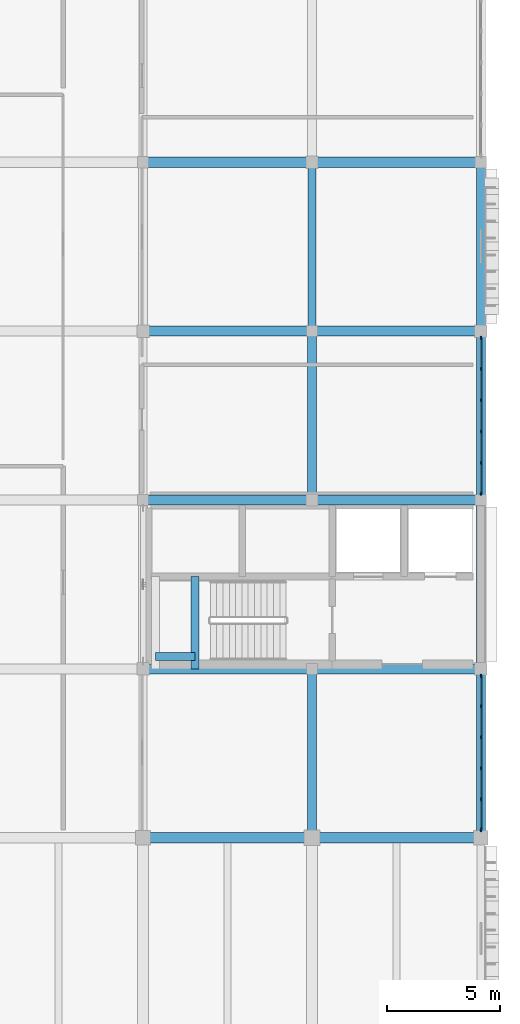
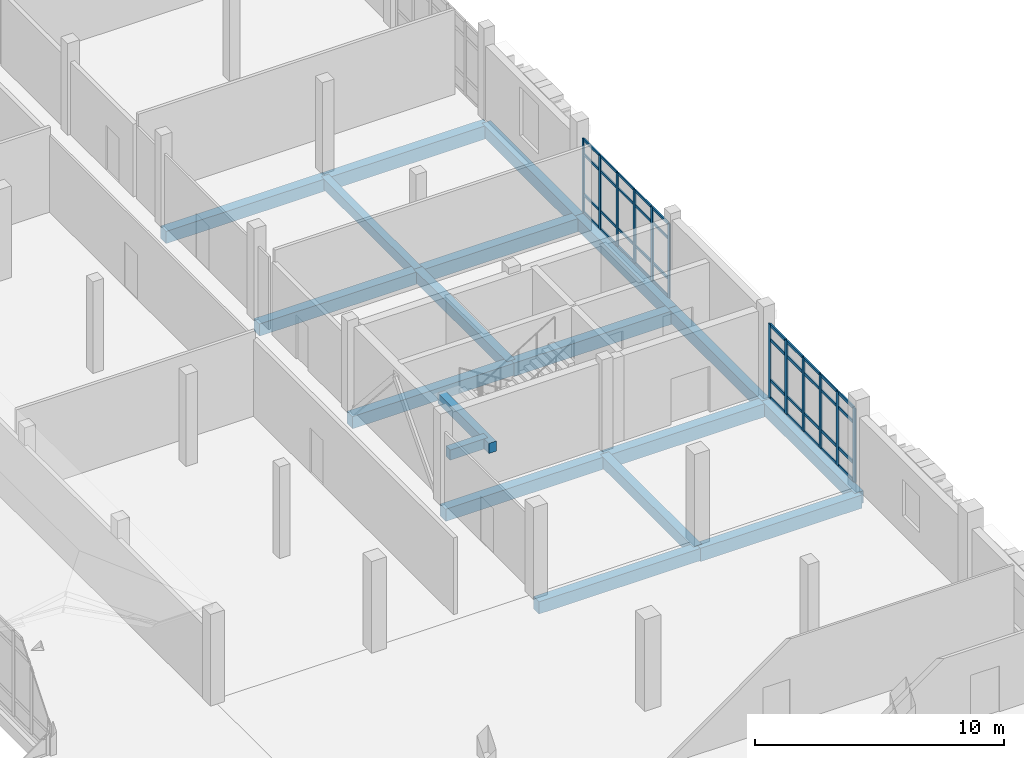
# One storey, part 63 of 128: 52 members, 19 beams, 2 elements without a shape of their own.
"""IFC4 building model written with IfcOpenShell, lengths in metres."""

from ifc_helpers import new_model, si_unit, direction, frame, origin, origin_2d, place, context, subcontext, project, spatial, rectangle, extrude, material, layer, layer_set, material_profile, profile_set, type_object, element, aggregate, save


model = new_model("IFC4")

# Units and contexts
model_context = context("Model", 3, precision=1e-05, world=origin(), true_north=direction((0.0, 1.0)))
body_context = subcontext(model_context, "Body", "Model", "MODEL_VIEW")
ifc_project = project(units=[si_unit("LENGTHUNIT", "METRE"), si_unit("AREAUNIT", "SQUARE_METRE"), si_unit("VOLUMEUNIT", "CUBIC_METRE"), si_unit("PLANEANGLEUNIT", "RADIAN"), si_unit("MASSUNIT", "GRAM", prefix="KILO")], contexts=[model_context])

# Site, building, storey
site_placement = place(None, origin())
site = spatial("IfcSite", under=ifc_project, at=site_placement, CompositionType="ELEMENT")
building_placement = place(site_placement, origin())
building = spatial("IfcBuilding", under=site, at=building_placement, Name="Dalvernix Boulevard General Hospital", CompositionType="ELEMENT")
storey_placement = place(building_placement, frame((0.0, 0.0, 4.800048828125)))
storey = spatial("IfcBuildingStorey", under=building, at=storey_placement, Name="L01", CompositionType="ELEMENT", Elevation=4.800048828125)

# Beams
ifc_material_1 = material(Name="Concrete C35/45", Category="concrete")
ifc_material_profile_1 = material_profile(ifc_material_1, rectangle(XDim=0.449951171875, YDim=0.64990234375, at=origin_2d()), Name="RCB 450x650")
ifc_profile_set_1 = profile_set([ifc_material_profile_1], Name="Concrete C35/45")
beam_type_1 = type_object("IfcBeamType", Name="BM-B-03-I", PredefinedType="BEAM", material=ifc_profile_set_1)
for number, where, z_axis, x_axis, name in (
    (1, (165.0, 31.5, -0.625), (1.0, 0.0, 0.0), (0.0, 1.0, 0.0), "L01 E-W girder E:23-24"),
    (2, (165.0, 39.0, -0.625), (1.0, 0.0, 0.0), (0.0, 1.0, 0.0), "L01 E-W girder F:23-24"),
    (3, (165.0, 46.5, -0.625), (1.0, 0.0, 0.0), (0.0, 1.0, 0.0), "L01 E-W girder G:23-24"),
    (4, (165.0, 54.0, -0.625), (1.0, 0.0, 0.0), (0.0, 1.0, 0.0), "L01 E-W girder H:23-24"),
    (5, (165.0, 61.5, -0.625), (1.0, 0.0, 0.0), (0.0, 1.0, 0.0), "L01 E-W girder J:23-24"),
):
    element("IfcBeam", number, at=place(storey_placement, frame(where, z_axis=z_axis, x_axis=x_axis)), inside=storey, type_object=beam_type_1, Name=name, PredefinedType="BEAM", context=body_context, shape_type="SweptSolid", body=[
        extrude(rectangle(XDim=0.449951171875, YDim=0.64990234375, at=origin_2d()), origin(), (0.0, 0.0, 1.0), 7.5),
    ])
ifc_material_profile_2 = material_profile(ifc_material_1, rectangle(XDim=0.449951171875, YDim=0.60009765625, at=origin_2d()), Name="RCB 450x600")
ifc_profile_set_2 = profile_set([ifc_material_profile_2], Name="Concrete C35/45")
beam_type_2 = type_object("IfcBeamType", Name="BM-B-04-I", PredefinedType="BEAM", material=ifc_profile_set_2)
for number, where, z_axis, x_axis, name in (
    (6, (157.5, 31.5, -0.60009765625), (1.0, 0.0, 0.0), (0.0, 1.0, 0.0), "L01 E-W girder E:22-23"),
    (7, (157.5, 39.0, -0.60009765625), (1.0, 0.0, 0.0), (0.0, 1.0, 0.0), "L01 E-W girder F:22-23"),
    (8, (157.5, 46.5, -0.60009765625), (1.0, 0.0, 0.0), (0.0, 1.0, 0.0), "L01 E-W girder G:22-23"),
    (9, (157.5, 54.0, -0.60009765625), (1.0, 0.0, 0.0), (0.0, 1.0, 0.0), "L01 E-W girder H:22-23"),
    (10, (157.5, 61.5, -0.60009765625), (1.0, 0.0, 0.0), (0.0, 1.0, 0.0), "L01 E-W girder J:22-23"),
):
    element("IfcBeam", number, at=place(storey_placement, frame(where, z_axis=z_axis, x_axis=x_axis)), inside=storey, type_object=beam_type_2, Name=name, PredefinedType="BEAM", context=body_context, shape_type="SweptSolid", body=[
        extrude(rectangle(XDim=0.449951171875, YDim=0.60009765625, at=origin_2d()), origin(), (0.0, 0.0, 1.0), 7.5),
    ])
ifc_material_profile_3 = material_profile(ifc_material_1, rectangle(XDim=0.39990234375, YDim=0.550048828125, at=origin_2d()), Name="RCB 400x550")
ifc_profile_set_3 = profile_set([ifc_material_profile_3], Name="Concrete C35/45")
beam_type_3 = type_object("IfcBeamType", Name="BM-B-06-I", PredefinedType="BEAM", material=ifc_profile_set_3)
for number, where, z_axis, x_axis, name in (
    (11, (165.0, 31.5, -0.574951171875), (0.0, 1.0, 0.0), (-1.0, 0.0, 0.0), "L01 N-S girder 23:E-F"),
    (12, (165.0, 46.5, -0.574951171875), (0.0, 1.0, 0.0), (-1.0, 0.0, 0.0), "L01 N-S girder 23:G-H"),
):
    element("IfcBeam", number, at=place(storey_placement, frame(where, z_axis=z_axis, x_axis=x_axis)), inside=storey, type_object=beam_type_3, Name=name, PredefinedType="BEAM", context=body_context, shape_type="SweptSolid", body=[
        extrude(rectangle(XDim=0.39990234375, YDim=0.550048828125, at=origin_2d()), origin(), (0.0, 0.0, 1.0), 7.5),
    ])
ifc_material_profile_4 = material_profile(ifc_material_1, rectangle(XDim=0.35009765625, YDim=0.5, at=origin_2d()), Name="RCB 350x500")
ifc_profile_set_4 = profile_set([ifc_material_profile_4], Name="Concrete C35/45")
beam_type_4 = type_object("IfcBeamType", Name="BM-B-08", PredefinedType="BEAM", material=ifc_profile_set_4)
beam_1_placement = place(storey_placement, frame((159.800048828125, 39.0, 1.800048828125), z_axis=(0.0, 1.0, 0.0), x_axis=(-1.0, 0.0, 0.0)))
element("IfcBeam", 13, at=beam_1_placement, inside=storey, type_object=beam_type_4, Name="L01 C6 stair half-landing beam 2", PredefinedType="BEAM", context=body_context, shape_type="SweptSolid", body=[
    extrude(rectangle(XDim=0.35009765625, YDim=0.5, at=origin_2d()), origin(), (0.0, 0.0, 1.0), 4.10009765625),
])
beam_2_placement = place(storey_placement, frame((158.050048828125, 39.550048828125, 1.800048828125), z_axis=(1.0, 0.0, 0.0), x_axis=(0.0, 1.0, 0.0)))
element("IfcBeam", 14, at=beam_2_placement, inside=storey, type_object=beam_type_4, Name="L01 C6 stair half-landing tie beam", PredefinedType="BEAM", context=body_context, shape_type="SweptSolid", body=[
    extrude(rectangle(XDim=0.35009765625, YDim=0.5, at=origin_2d()), origin(), (0.0, 0.0, 1.0), 1.75),
])
ifc_material_profile_5 = material_profile(ifc_material_1, rectangle(XDim=0.35009765625, YDim=0.5, at=origin_2d()), Name="RCB 350x500")
ifc_profile_set_5 = profile_set([ifc_material_profile_5], Name="Concrete C35/45")
beam_type_5 = type_object("IfcBeamType", Name="BM-B-08-I", PredefinedType="BEAM", material=ifc_profile_set_5)
beam_3_placement = place(storey_placement, frame((165.0, 54.0, -0.550048828125), z_axis=(0.0, 1.0, 0.0), x_axis=(-1.0, 0.0, 0.0)))
element("IfcBeam", 15, at=beam_3_placement, inside=storey, type_object=beam_type_5, Name="L01 N-S girder 23:H-J", PredefinedType="BEAM", context=body_context, shape_type="SweptSolid", body=[
    extrude(rectangle(XDim=0.35009765625, YDim=0.5, at=origin_2d()), origin(), (0.0, 0.0, 1.0), 7.5),
])
ifc_material_profile_6 = material_profile(ifc_material_1, rectangle(XDim=0.39990234375, YDim=0.60009765625, at=origin_2d()), Name="RCB 400x600")
ifc_profile_set_6 = profile_set([ifc_material_profile_6], Name="Concrete C35/45")
beam_type_6 = type_object("IfcBeamType", Name="BM-SB-02-E", PredefinedType="SPANDREL", material=ifc_profile_set_6)
for number, where, z_axis, x_axis, name in (
    (16, (172.5, 31.5, -0.60009765625), (0.0, 1.0, 0.0), (-1.0, 0.0, 0.0), "L01 N-S girder 24:E-F"),
    (17, (172.5, 39.0, -0.60009765625), (0.0, 1.0, 0.0), (-1.0, 0.0, 0.0), "L01 N-S girder 24:F-G"),
    (18, (172.5, 46.5, -0.60009765625), (0.0, 1.0, 0.0), (-1.0, 0.0, 0.0), "L01 N-S girder 24:G-H"),
    (19, (172.5, 54.0, -0.60009765625), (0.0, 1.0, 0.0), (-1.0, 0.0, 0.0), "L01 N-S girder 24:H-J"),
):
    element("IfcBeam", number, at=place(storey_placement, frame(where, z_axis=z_axis, x_axis=x_axis)), inside=storey, type_object=beam_type_6, Name=name, PredefinedType="SPANDREL", context=body_context, shape_type="SweptSolid", body=[
        extrude(rectangle(XDim=0.39990234375, YDim=0.60009765625, at=origin_2d()), origin(), (0.0, 0.0, 1.0), 7.5),
    ])

# Curtain wall, members
ifc_material_2 = material(Name="Thermally broken aluminium and solar-control glass curtain wall", Category="aluminium")
ifc_layer_1 = layer(ifc_material_2, 0.159912109375)
ifc_layer_set_1 = layer_set([ifc_layer_1], Name="Thermally broken aluminium and solar-control glass curtain wall (CW-CW-A-70x36)")
curtain_wall_type_1 = type_object("IfcCurtainWallType", Name="CW-CW-A-70x36", PredefinedType="USERDEFINED", material=ifc_layer_set_1)
curtain_wall_1_placement = place(storey_placement, origin())
curtain_wall_1 = element("IfcCurtainWall", 20, at=curtain_wall_1_placement, inside=storey, type_object=curtain_wall_type_1, Name="L01 curtain wall CW-A-70x36 23-6", ObjectType="GLAZED FACADE", PredefinedType="USERDEFINED")
ifc_material_3 = material(Name="Aluminium EN AW-6060", Category="aluminium")
ifc_material_profile_7 = material_profile(ifc_material_3, rectangle(XDim=0.06005859375, YDim=0.159912109375, at=origin_2d()), Name="ALU MULL 60x160")
ifc_profile_set_7 = profile_set([ifc_material_profile_7], Name="Aluminium EN AW-6060")
member_type_1 = type_object("IfcMemberType", Name="MEM-CW-M1", PredefinedType="MULLION", material=ifc_profile_set_7)
member_1_placement = place(storey_placement, frame((172.5, 53.68505859375, 0.0), z_axis=(0.0, 0.0, 1.0), x_axis=(1.0, 0.0, 0.0)))
member_1 = element("IfcMember", 21, at=member_1_placement, type_object=member_type_1, Name="CW-A-70x36 mullion 1", PredefinedType="MULLION", context=body_context, shape_type="SweptSolid", body=[
    extrude(rectangle(XDim=0.06005859375, YDim=0.159912109375, at=origin_2d()), origin(), (0.0, 0.0, 1.0), 3.6298828125),
])
member_2_placement = place(storey_placement, frame((172.5, 52.323974609375, 0.0), z_axis=(0.0, 0.0, 1.0), x_axis=(1.0, 0.0, 0.0)))
member_2 = element("IfcMember", 22, at=member_2_placement, type_object=member_type_1, Name="CW-A-70x36 mullion 2", PredefinedType="MULLION", context=body_context, shape_type="SweptSolid", body=[
    extrude(rectangle(XDim=0.06005859375, YDim=0.159912109375, at=origin_2d()), origin(), (0.0, 0.0, 1.0), 3.6298828125),
])
member_3_placement = place(storey_placement, frame((172.5, 50.93310546875, 0.0), z_axis=(0.0, 0.0, 1.0), x_axis=(1.0, 0.0, 0.0)))
member_3 = element("IfcMember", 23, at=member_3_placement, type_object=member_type_1, Name="CW-A-70x36 mullion 3", PredefinedType="MULLION", context=body_context, shape_type="SweptSolid", body=[
    extrude(rectangle(XDim=0.06005859375, YDim=0.159912109375, at=origin_2d()), origin(), (0.0, 0.0, 1.0), 3.6298828125),
])
member_4_placement = place(storey_placement, frame((172.5, 49.5419921875, 0.0), z_axis=(0.0, 0.0, 1.0), x_axis=(1.0, 0.0, 0.0)))
member_4 = element("IfcMember", 24, at=member_4_placement, type_object=member_type_1, Name="CW-A-70x36 mullion 4", PredefinedType="MULLION", context=body_context, shape_type="SweptSolid", body=[
    extrude(rectangle(XDim=0.06005859375, YDim=0.159912109375, at=origin_2d()), origin(), (0.0, 0.0, 1.0), 3.6298828125),
])
member_5_placement = place(storey_placement, frame((172.5, 48.15087890625, 0.0), z_axis=(0.0, 0.0, 1.0), x_axis=(1.0, 0.0, 0.0)))
member_5 = element("IfcMember", 25, at=member_5_placement, type_object=member_type_1, Name="CW-A-70x36 mullion 5", PredefinedType="MULLION", context=body_context, shape_type="SweptSolid", body=[
    extrude(rectangle(XDim=0.06005859375, YDim=0.159912109375, at=origin_2d()), origin(), (0.0, 0.0, 1.0), 3.6298828125),
])
member_6_placement = place(storey_placement, frame((172.5, 46.7900390625, 0.0), z_axis=(0.0, 0.0, 1.0), x_axis=(1.0, 0.0, 0.0)))
member_6 = element("IfcMember", 26, at=member_6_placement, type_object=member_type_1, Name="CW-A-70x36 mullion 6", PredefinedType="MULLION", context=body_context, shape_type="SweptSolid", body=[
    extrude(rectangle(XDim=0.06005859375, YDim=0.159912109375, at=origin_2d()), origin(), (0.0, 0.0, 1.0), 3.6298828125),
])

ifc_layer_2 = layer(ifc_material_2, 0.179931640625)
ifc_layer_set_2 = layer_set([ifc_layer_2], Name="Thermally broken aluminium and solar-control glass curtain wall (CW-CW-B-69x36)")
curtain_wall_type_2 = type_object("IfcCurtainWallType", Name="CW-CW-B-69x36", PredefinedType="USERDEFINED", material=ifc_layer_set_2)
curtain_wall_2_placement = place(storey_placement, origin())
curtain_wall_2 = element("IfcCurtainWall", 27, at=curtain_wall_2_placement, inside=storey, type_object=curtain_wall_type_2, Name="L01 curtain wall CW-B-69x36 23-4", ObjectType="GLAZED FACADE", PredefinedType="USERDEFINED")
ifc_material_profile_8 = material_profile(ifc_material_3, rectangle(XDim=0.06494140625, YDim=0.179931640625, at=origin_2d()), Name="ALU MULL 65x180")
ifc_profile_set_8 = profile_set([ifc_material_profile_8], Name="Aluminium EN AW-6060")
member_type_2 = type_object("IfcMemberType", Name="MEM-CW-M2", PredefinedType="MULLION", material=ifc_profile_set_8)
member_7_placement = place(storey_placement, frame((172.5, 38.6826171875, 0.0), z_axis=(0.0, 0.0, 1.0), x_axis=(1.0, 0.0, 0.0)))
member_7 = element("IfcMember", 28, at=member_7_placement, type_object=member_type_2, Name="CW-B-69x36 mullion 1", PredefinedType="MULLION", context=body_context, shape_type="SweptSolid", body=[
    extrude(rectangle(XDim=0.06494140625, YDim=0.179931640625, at=origin_2d()), origin(), (0.0, 0.0, 1.0), 3.6298828125),
])
member_8_placement = place(storey_placement, frame((172.5, 37.339111328125, 0.0), z_axis=(0.0, 0.0, 1.0), x_axis=(1.0, 0.0, 0.0)))
member_8 = element("IfcMember", 29, at=member_8_placement, type_object=member_type_2, Name="CW-B-69x36 mullion 2", PredefinedType="MULLION", context=body_context, shape_type="SweptSolid", body=[
    extrude(rectangle(XDim=0.06494140625, YDim=0.179931640625, at=origin_2d()), origin(), (0.0, 0.0, 1.0), 3.6298828125),
])
member_9_placement = place(storey_placement, frame((172.5, 35.962890625, 0.0), z_axis=(0.0, 0.0, 1.0), x_axis=(1.0, 0.0, 0.0)))
member_9 = element("IfcMember", 30, at=member_9_placement, type_object=member_type_2, Name="CW-B-69x36 mullion 3", PredefinedType="MULLION", context=body_context, shape_type="SweptSolid", body=[
    extrude(rectangle(XDim=0.06494140625, YDim=0.179931640625, at=origin_2d()), origin(), (0.0, 0.0, 1.0), 3.6298828125),
])
member_10_placement = place(storey_placement, frame((172.5, 34.5869140625, 0.0), z_axis=(0.0, 0.0, 1.0), x_axis=(1.0, 0.0, 0.0)))
member_10 = element("IfcMember", 31, at=member_10_placement, type_object=member_type_2, Name="CW-B-69x36 mullion 4", PredefinedType="MULLION", context=body_context, shape_type="SweptSolid", body=[
    extrude(rectangle(XDim=0.06494140625, YDim=0.179931640625, at=origin_2d()), origin(), (0.0, 0.0, 1.0), 3.6298828125),
])
member_11_placement = place(storey_placement, frame((172.5, 33.2109375, 0.0), z_axis=(0.0, 0.0, 1.0), x_axis=(1.0, 0.0, 0.0)))
member_11 = element("IfcMember", 32, at=member_11_placement, type_object=member_type_2, Name="CW-B-69x36 mullion 5", PredefinedType="MULLION", context=body_context, shape_type="SweptSolid", body=[
    extrude(rectangle(XDim=0.06494140625, YDim=0.179931640625, at=origin_2d()), origin(), (0.0, 0.0, 1.0), 3.6298828125),
])
member_12_placement = place(storey_placement, frame((172.5, 31.867431640625, 0.0), z_axis=(0.0, 0.0, 1.0), x_axis=(1.0, 0.0, 0.0)))
member_12 = element("IfcMember", 33, at=member_12_placement, type_object=member_type_2, Name="CW-B-69x36 mullion 6", PredefinedType="MULLION", context=body_context, shape_type="SweptSolid", body=[
    extrude(rectangle(XDim=0.06494140625, YDim=0.179931640625, at=origin_2d()), origin(), (0.0, 0.0, 1.0), 3.6298828125),
])

# Member
ifc_material_profile_9 = material_profile(ifc_material_3, rectangle(XDim=0.06005859375, YDim=0.1201171875, at=origin_2d()), Name="ALU TRAN 60x120")
ifc_profile_set_9 = profile_set([ifc_material_profile_9], Name="Aluminium EN AW-6060")
member_type_3 = type_object("IfcMemberType", Name="MEM-CW-T1", PredefinedType="USERDEFINED", material=ifc_profile_set_9)
member_13_placement = place(storey_placement, frame((172.5, 53.655029296875, 0.030029296875), z_axis=(0.0, -1.0, 0.0), x_axis=(1.0, 0.0, 0.0)))
member_13 = element("IfcMember", 34, at=member_13_placement, type_object=member_type_3, Name="CW-A-70x36 transom 1.1", ObjectType="TRANSOM", PredefinedType="USERDEFINED", context=body_context, shape_type="SweptSolid", body=[
    extrude(rectangle(XDim=0.06005859375, YDim=0.1201171875, at=origin_2d()), origin(), (0.0, 0.0, 1.0), 1.301025390625),
])

member_14_placement = place(storey_placement, frame((172.5, 53.655029296875, 0.89990234375), z_axis=(0.0, -1.0, 0.0), x_axis=(1.0, 0.0, 0.0)))
member_14 = element("IfcMember", 35, at=member_14_placement, type_object=member_type_3, Name="CW-A-70x36 transom 1.2", ObjectType="TRANSOM", PredefinedType="USERDEFINED", context=body_context, shape_type="SweptSolid", body=[
    extrude(rectangle(XDim=0.06005859375, YDim=0.1201171875, at=origin_2d()), origin(), (0.0, 0.0, 1.0), 1.301025390625),
])

member_15_placement = place(storey_placement, frame((172.5, 53.655029296875, 2.8798828125), z_axis=(0.0, -1.0, 0.0), x_axis=(1.0, 0.0, 0.0)))
member_15 = element("IfcMember", 36, at=member_15_placement, type_object=member_type_3, Name="CW-A-70x36 transom 1.3", ObjectType="TRANSOM", PredefinedType="USERDEFINED", context=body_context, shape_type="SweptSolid", body=[
    extrude(rectangle(XDim=0.06005859375, YDim=0.1201171875, at=origin_2d()), origin(), (0.0, 0.0, 1.0), 1.301025390625),
])

member_16_placement = place(storey_placement, frame((172.5, 53.655029296875, 3.599853515625), z_axis=(0.0, -1.0, 0.0), x_axis=(1.0, 0.0, 0.0)))
member_16 = element("IfcMember", 37, at=member_16_placement, type_object=member_type_3, Name="CW-A-70x36 transom 1.4", ObjectType="TRANSOM", PredefinedType="USERDEFINED", context=body_context, shape_type="SweptSolid", body=[
    extrude(rectangle(XDim=0.06005859375, YDim=0.1201171875, at=origin_2d()), origin(), (0.0, 0.0, 1.0), 1.301025390625),
])

member_17_placement = place(storey_placement, frame((172.5, 52.2939453125, 0.030029296875), z_axis=(0.0, -1.0, 0.0), x_axis=(1.0, 0.0, 0.0)))
member_17 = element("IfcMember", 38, at=member_17_placement, type_object=member_type_3, Name="CW-A-70x36 transom 2.1", ObjectType="TRANSOM", PredefinedType="USERDEFINED", context=body_context, shape_type="SweptSolid", body=[
    extrude(rectangle(XDim=0.06005859375, YDim=0.1201171875, at=origin_2d()), origin(), (0.0, 0.0, 1.0), 1.3310546875),
])

member_18_placement = place(storey_placement, frame((172.5, 52.2939453125, 0.89990234375), z_axis=(0.0, -1.0, 0.0), x_axis=(1.0, 0.0, 0.0)))
member_18 = element("IfcMember", 39, at=member_18_placement, type_object=member_type_3, Name="CW-A-70x36 transom 2.2", ObjectType="TRANSOM", PredefinedType="USERDEFINED", context=body_context, shape_type="SweptSolid", body=[
    extrude(rectangle(XDim=0.06005859375, YDim=0.1201171875, at=origin_2d()), origin(), (0.0, 0.0, 1.0), 1.3310546875),
])

member_19_placement = place(storey_placement, frame((172.5, 52.2939453125, 2.8798828125), z_axis=(0.0, -1.0, 0.0), x_axis=(1.0, 0.0, 0.0)))
member_19 = element("IfcMember", 40, at=member_19_placement, type_object=member_type_3, Name="CW-A-70x36 transom 2.3", ObjectType="TRANSOM", PredefinedType="USERDEFINED", context=body_context, shape_type="SweptSolid", body=[
    extrude(rectangle(XDim=0.06005859375, YDim=0.1201171875, at=origin_2d()), origin(), (0.0, 0.0, 1.0), 1.3310546875),
])

member_20_placement = place(storey_placement, frame((172.5, 52.2939453125, 3.599853515625), z_axis=(0.0, -1.0, 0.0), x_axis=(1.0, 0.0, 0.0)))
member_20 = element("IfcMember", 41, at=member_20_placement, type_object=member_type_3, Name="CW-A-70x36 transom 2.4", ObjectType="TRANSOM", PredefinedType="USERDEFINED", context=body_context, shape_type="SweptSolid", body=[
    extrude(rectangle(XDim=0.06005859375, YDim=0.1201171875, at=origin_2d()), origin(), (0.0, 0.0, 1.0), 1.3310546875),
])

member_21_placement = place(storey_placement, frame((172.5, 50.903076171875, 0.030029296875), z_axis=(0.0, -1.0, 0.0), x_axis=(1.0, 0.0, 0.0)))
member_21 = element("IfcMember", 42, at=member_21_placement, type_object=member_type_3, Name="CW-A-70x36 transom 3.1", ObjectType="TRANSOM", PredefinedType="USERDEFINED", context=body_context, shape_type="SweptSolid", body=[
    extrude(rectangle(XDim=0.06005859375, YDim=0.1201171875, at=origin_2d()), origin(), (0.0, 0.0, 1.0), 1.3310546875),
])

member_22_placement = place(storey_placement, frame((172.5, 50.903076171875, 0.89990234375), z_axis=(0.0, -1.0, 0.0), x_axis=(1.0, 0.0, 0.0)))
member_22 = element("IfcMember", 43, at=member_22_placement, type_object=member_type_3, Name="CW-A-70x36 transom 3.2", ObjectType="TRANSOM", PredefinedType="USERDEFINED", context=body_context, shape_type="SweptSolid", body=[
    extrude(rectangle(XDim=0.06005859375, YDim=0.1201171875, at=origin_2d()), origin(), (0.0, 0.0, 1.0), 1.3310546875),
])

member_23_placement = place(storey_placement, frame((172.5, 50.903076171875, 2.8798828125), z_axis=(0.0, -1.0, 0.0), x_axis=(1.0, 0.0, 0.0)))
member_23 = element("IfcMember", 44, at=member_23_placement, type_object=member_type_3, Name="CW-A-70x36 transom 3.3", ObjectType="TRANSOM", PredefinedType="USERDEFINED", context=body_context, shape_type="SweptSolid", body=[
    extrude(rectangle(XDim=0.06005859375, YDim=0.1201171875, at=origin_2d()), origin(), (0.0, 0.0, 1.0), 1.3310546875),
])

member_24_placement = place(storey_placement, frame((172.5, 50.903076171875, 3.599853515625), z_axis=(0.0, -1.0, 0.0), x_axis=(1.0, 0.0, 0.0)))
member_24 = element("IfcMember", 45, at=member_24_placement, type_object=member_type_3, Name="CW-A-70x36 transom 3.4", ObjectType="TRANSOM", PredefinedType="USERDEFINED", context=body_context, shape_type="SweptSolid", body=[
    extrude(rectangle(XDim=0.06005859375, YDim=0.1201171875, at=origin_2d()), origin(), (0.0, 0.0, 1.0), 1.3310546875),
])

member_25_placement = place(storey_placement, frame((172.5, 49.511962890625, 0.030029296875), z_axis=(0.0, -1.0, 0.0), x_axis=(1.0, 0.0, 0.0)))
member_25 = element("IfcMember", 46, at=member_25_placement, type_object=member_type_3, Name="CW-A-70x36 transom 4.1", ObjectType="TRANSOM", PredefinedType="USERDEFINED", context=body_context, shape_type="SweptSolid", body=[
    extrude(rectangle(XDim=0.06005859375, YDim=0.1201171875, at=origin_2d()), origin(), (0.0, 0.0, 1.0), 1.3310546875),
])

member_26_placement = place(storey_placement, frame((172.5, 49.511962890625, 0.89990234375), z_axis=(0.0, -1.0, 0.0), x_axis=(1.0, 0.0, 0.0)))
member_26 = element("IfcMember", 47, at=member_26_placement, type_object=member_type_3, Name="CW-A-70x36 transom 4.2", ObjectType="TRANSOM", PredefinedType="USERDEFINED", context=body_context, shape_type="SweptSolid", body=[
    extrude(rectangle(XDim=0.06005859375, YDim=0.1201171875, at=origin_2d()), origin(), (0.0, 0.0, 1.0), 1.3310546875),
])

member_27_placement = place(storey_placement, frame((172.5, 49.511962890625, 2.8798828125), z_axis=(0.0, -1.0, 0.0), x_axis=(1.0, 0.0, 0.0)))
member_27 = element("IfcMember", 48, at=member_27_placement, type_object=member_type_3, Name="CW-A-70x36 transom 4.3", ObjectType="TRANSOM", PredefinedType="USERDEFINED", context=body_context, shape_type="SweptSolid", body=[
    extrude(rectangle(XDim=0.06005859375, YDim=0.1201171875, at=origin_2d()), origin(), (0.0, 0.0, 1.0), 1.3310546875),
])

member_28_placement = place(storey_placement, frame((172.5, 49.511962890625, 3.599853515625), z_axis=(0.0, -1.0, 0.0), x_axis=(1.0, 0.0, 0.0)))
member_28 = element("IfcMember", 49, at=member_28_placement, type_object=member_type_3, Name="CW-A-70x36 transom 4.4", ObjectType="TRANSOM", PredefinedType="USERDEFINED", context=body_context, shape_type="SweptSolid", body=[
    extrude(rectangle(XDim=0.06005859375, YDim=0.1201171875, at=origin_2d()), origin(), (0.0, 0.0, 1.0), 1.3310546875),
])

member_29_placement = place(storey_placement, frame((172.5, 48.12109375, 0.030029296875), z_axis=(0.0, -1.0, 0.0), x_axis=(1.0, 0.0, 0.0)))
member_29 = element("IfcMember", 50, at=member_29_placement, type_object=member_type_3, Name="CW-A-70x36 transom 5.1", ObjectType="TRANSOM", PredefinedType="USERDEFINED", context=body_context, shape_type="SweptSolid", body=[
    extrude(rectangle(XDim=0.06005859375, YDim=0.1201171875, at=origin_2d()), origin(), (0.0, 0.0, 1.0), 1.301025390625),
])

member_30_placement = place(storey_placement, frame((172.5, 48.12109375, 0.89990234375), z_axis=(0.0, -1.0, 0.0), x_axis=(1.0, 0.0, 0.0)))
member_30 = element("IfcMember", 51, at=member_30_placement, type_object=member_type_3, Name="CW-A-70x36 transom 5.2", ObjectType="TRANSOM", PredefinedType="USERDEFINED", context=body_context, shape_type="SweptSolid", body=[
    extrude(rectangle(XDim=0.06005859375, YDim=0.1201171875, at=origin_2d()), origin(), (0.0, 0.0, 1.0), 1.301025390625),
])

member_31_placement = place(storey_placement, frame((172.5, 48.12109375, 2.8798828125), z_axis=(0.0, -1.0, 0.0), x_axis=(1.0, 0.0, 0.0)))
member_31 = element("IfcMember", 52, at=member_31_placement, type_object=member_type_3, Name="CW-A-70x36 transom 5.3", ObjectType="TRANSOM", PredefinedType="USERDEFINED", context=body_context, shape_type="SweptSolid", body=[
    extrude(rectangle(XDim=0.06005859375, YDim=0.1201171875, at=origin_2d()), origin(), (0.0, 0.0, 1.0), 1.301025390625),
])

member_32_placement = place(storey_placement, frame((172.5, 48.12109375, 3.599853515625), z_axis=(0.0, -1.0, 0.0), x_axis=(1.0, 0.0, 0.0)))
member_32 = element("IfcMember", 53, at=member_32_placement, type_object=member_type_3, Name="CW-A-70x36 transom 5.4", ObjectType="TRANSOM", PredefinedType="USERDEFINED", context=body_context, shape_type="SweptSolid", body=[
    extrude(rectangle(XDim=0.06005859375, YDim=0.1201171875, at=origin_2d()), origin(), (0.0, 0.0, 1.0), 1.301025390625),
])

aggregate(curtain_wall_1, [member_1, member_2, member_3, member_4, member_5, member_6, member_13, member_14, member_15, member_16, member_17, member_18, member_19, member_20, member_21, member_22, member_23, member_24, member_25, member_26, member_27, member_28, member_29, member_30, member_31, member_32])

ifc_material_profile_10 = material_profile(ifc_material_3, rectangle(XDim=0.06494140625, YDim=0.139892578125, at=origin_2d()), Name="ALU TRAN 65x140")
ifc_profile_set_10 = profile_set([ifc_material_profile_10], Name="Aluminium EN AW-6060")
member_type_4 = type_object("IfcMemberType", Name="MEM-CW-T2", PredefinedType="USERDEFINED", material=ifc_profile_set_10)
member_33_placement = place(storey_placement, frame((172.5, 38.64990234375, 0.032470703125), z_axis=(0.0, -1.0, 0.0), x_axis=(1.0, 0.0, 0.0)))
member_33 = element("IfcMember", 54, at=member_33_placement, type_object=member_type_4, Name="CW-B-69x36 transom 1.1", ObjectType="TRANSOM", PredefinedType="USERDEFINED", context=body_context, shape_type="SweptSolid", body=[
    extrude(rectangle(XDim=0.06494140625, YDim=0.139892578125, at=origin_2d()), origin(), (0.0, 0.0, 1.0), 1.2783203125),
])

member_34_placement = place(storey_placement, frame((172.5, 38.64990234375, 0.89990234375), z_axis=(0.0, -1.0, 0.0), x_axis=(1.0, 0.0, 0.0)))
member_34 = element("IfcMember", 55, at=member_34_placement, type_object=member_type_4, Name="CW-B-69x36 transom 1.2", ObjectType="TRANSOM", PredefinedType="USERDEFINED", context=body_context, shape_type="SweptSolid", body=[
    extrude(rectangle(XDim=0.06494140625, YDim=0.139892578125, at=origin_2d()), origin(), (0.0, 0.0, 1.0), 1.2783203125),
])

member_35_placement = place(storey_placement, frame((172.5, 38.64990234375, 2.8798828125), z_axis=(0.0, -1.0, 0.0), x_axis=(1.0, 0.0, 0.0)))
member_35 = element("IfcMember", 56, at=member_35_placement, type_object=member_type_4, Name="CW-B-69x36 transom 1.3", ObjectType="TRANSOM", PredefinedType="USERDEFINED", context=body_context, shape_type="SweptSolid", body=[
    extrude(rectangle(XDim=0.06494140625, YDim=0.139892578125, at=origin_2d()), origin(), (0.0, 0.0, 1.0), 1.2783203125),
])

member_36_placement = place(storey_placement, frame((172.5, 38.64990234375, 3.597412109375), z_axis=(0.0, -1.0, 0.0), x_axis=(1.0, 0.0, 0.0)))
member_36 = element("IfcMember", 57, at=member_36_placement, type_object=member_type_4, Name="CW-B-69x36 transom 1.4", ObjectType="TRANSOM", PredefinedType="USERDEFINED", context=body_context, shape_type="SweptSolid", body=[
    extrude(rectangle(XDim=0.06494140625, YDim=0.139892578125, at=origin_2d()), origin(), (0.0, 0.0, 1.0), 1.2783203125),
])

member_37_placement = place(storey_placement, frame((172.5, 37.306396484375, 0.032470703125), z_axis=(0.0, -1.0, 0.0), x_axis=(1.0, 0.0, 0.0)))
member_37 = element("IfcMember", 58, at=member_37_placement, type_object=member_type_4, Name="CW-B-69x36 transom 2.1", ObjectType="TRANSOM", PredefinedType="USERDEFINED", context=body_context, shape_type="SweptSolid", body=[
    extrude(rectangle(XDim=0.06494140625, YDim=0.139892578125, at=origin_2d()), origin(), (0.0, 0.0, 1.0), 1.310791015625),
])

member_38_placement = place(storey_placement, frame((172.5, 37.306396484375, 0.89990234375), z_axis=(0.0, -1.0, 0.0), x_axis=(1.0, 0.0, 0.0)))
member_38 = element("IfcMember", 59, at=member_38_placement, type_object=member_type_4, Name="CW-B-69x36 transom 2.2", ObjectType="TRANSOM", PredefinedType="USERDEFINED", context=body_context, shape_type="SweptSolid", body=[
    extrude(rectangle(XDim=0.06494140625, YDim=0.139892578125, at=origin_2d()), origin(), (0.0, 0.0, 1.0), 1.310791015625),
])

member_39_placement = place(storey_placement, frame((172.5, 37.306396484375, 2.8798828125), z_axis=(0.0, -1.0, 0.0), x_axis=(1.0, 0.0, 0.0)))
member_39 = element("IfcMember", 60, at=member_39_placement, type_object=member_type_4, Name="CW-B-69x36 transom 2.3", ObjectType="TRANSOM", PredefinedType="USERDEFINED", context=body_context, shape_type="SweptSolid", body=[
    extrude(rectangle(XDim=0.06494140625, YDim=0.139892578125, at=origin_2d()), origin(), (0.0, 0.0, 1.0), 1.310791015625),
])

member_40_placement = place(storey_placement, frame((172.5, 37.306396484375, 3.597412109375), z_axis=(0.0, -1.0, 0.0), x_axis=(1.0, 0.0, 0.0)))
member_40 = element("IfcMember", 61, at=member_40_placement, type_object=member_type_4, Name="CW-B-69x36 transom 2.4", ObjectType="TRANSOM", PredefinedType="USERDEFINED", context=body_context, shape_type="SweptSolid", body=[
    extrude(rectangle(XDim=0.06494140625, YDim=0.139892578125, at=origin_2d()), origin(), (0.0, 0.0, 1.0), 1.310791015625),
])

member_41_placement = place(storey_placement, frame((172.5, 35.930419921875, 0.032470703125), z_axis=(0.0, -1.0, 0.0), x_axis=(1.0, 0.0, 0.0)))
member_41 = element("IfcMember", 62, at=member_41_placement, type_object=member_type_4, Name="CW-B-69x36 transom 3.1", ObjectType="TRANSOM", PredefinedType="USERDEFINED", context=body_context, shape_type="SweptSolid", body=[
    extrude(rectangle(XDim=0.06494140625, YDim=0.139892578125, at=origin_2d()), origin(), (0.0, 0.0, 1.0), 1.31103515625),
])

member_42_placement = place(storey_placement, frame((172.5, 35.930419921875, 0.89990234375), z_axis=(0.0, -1.0, 0.0), x_axis=(1.0, 0.0, 0.0)))
member_42 = element("IfcMember", 63, at=member_42_placement, type_object=member_type_4, Name="CW-B-69x36 transom 3.2", ObjectType="TRANSOM", PredefinedType="USERDEFINED", context=body_context, shape_type="SweptSolid", body=[
    extrude(rectangle(XDim=0.06494140625, YDim=0.139892578125, at=origin_2d()), origin(), (0.0, 0.0, 1.0), 1.31103515625),
])

member_43_placement = place(storey_placement, frame((172.5, 35.930419921875, 2.8798828125), z_axis=(0.0, -1.0, 0.0), x_axis=(1.0, 0.0, 0.0)))
member_43 = element("IfcMember", 64, at=member_43_placement, type_object=member_type_4, Name="CW-B-69x36 transom 3.3", ObjectType="TRANSOM", PredefinedType="USERDEFINED", context=body_context, shape_type="SweptSolid", body=[
    extrude(rectangle(XDim=0.06494140625, YDim=0.139892578125, at=origin_2d()), origin(), (0.0, 0.0, 1.0), 1.31103515625),
])

member_44_placement = place(storey_placement, frame((172.5, 35.930419921875, 3.597412109375), z_axis=(0.0, -1.0, 0.0), x_axis=(1.0, 0.0, 0.0)))
member_44 = element("IfcMember", 65, at=member_44_placement, type_object=member_type_4, Name="CW-B-69x36 transom 3.4", ObjectType="TRANSOM", PredefinedType="USERDEFINED", context=body_context, shape_type="SweptSolid", body=[
    extrude(rectangle(XDim=0.06494140625, YDim=0.139892578125, at=origin_2d()), origin(), (0.0, 0.0, 1.0), 1.31103515625),
])

member_45_placement = place(storey_placement, frame((172.5, 34.554443359375, 0.032470703125), z_axis=(0.0, -1.0, 0.0), x_axis=(1.0, 0.0, 0.0)))
member_45 = element("IfcMember", 66, at=member_45_placement, type_object=member_type_4, Name="CW-B-69x36 transom 4.1", ObjectType="TRANSOM", PredefinedType="USERDEFINED", context=body_context, shape_type="SweptSolid", body=[
    extrude(rectangle(XDim=0.06494140625, YDim=0.139892578125, at=origin_2d()), origin(), (0.0, 0.0, 1.0), 1.31103515625),
])

member_46_placement = place(storey_placement, frame((172.5, 34.554443359375, 0.89990234375), z_axis=(0.0, -1.0, 0.0), x_axis=(1.0, 0.0, 0.0)))
member_46 = element("IfcMember", 67, at=member_46_placement, type_object=member_type_4, Name="CW-B-69x36 transom 4.2", ObjectType="TRANSOM", PredefinedType="USERDEFINED", context=body_context, shape_type="SweptSolid", body=[
    extrude(rectangle(XDim=0.06494140625, YDim=0.139892578125, at=origin_2d()), origin(), (0.0, 0.0, 1.0), 1.31103515625),
])

member_47_placement = place(storey_placement, frame((172.5, 34.554443359375, 2.8798828125), z_axis=(0.0, -1.0, 0.0), x_axis=(1.0, 0.0, 0.0)))
member_47 = element("IfcMember", 68, at=member_47_placement, type_object=member_type_4, Name="CW-B-69x36 transom 4.3", ObjectType="TRANSOM", PredefinedType="USERDEFINED", context=body_context, shape_type="SweptSolid", body=[
    extrude(rectangle(XDim=0.06494140625, YDim=0.139892578125, at=origin_2d()), origin(), (0.0, 0.0, 1.0), 1.31103515625),
])

member_48_placement = place(storey_placement, frame((172.5, 34.554443359375, 3.597412109375), z_axis=(0.0, -1.0, 0.0), x_axis=(1.0, 0.0, 0.0)))
member_48 = element("IfcMember", 69, at=member_48_placement, type_object=member_type_4, Name="CW-B-69x36 transom 4.4", ObjectType="TRANSOM", PredefinedType="USERDEFINED", context=body_context, shape_type="SweptSolid", body=[
    extrude(rectangle(XDim=0.06494140625, YDim=0.139892578125, at=origin_2d()), origin(), (0.0, 0.0, 1.0), 1.31103515625),
])

member_49_placement = place(storey_placement, frame((172.5, 33.178466796875, 0.032470703125), z_axis=(0.0, -1.0, 0.0), x_axis=(1.0, 0.0, 0.0)))
member_49 = element("IfcMember", 70, at=member_49_placement, type_object=member_type_4, Name="CW-B-69x36 transom 5.1", ObjectType="TRANSOM", PredefinedType="USERDEFINED", context=body_context, shape_type="SweptSolid", body=[
    extrude(rectangle(XDim=0.06494140625, YDim=0.139892578125, at=origin_2d()), origin(), (0.0, 0.0, 1.0), 1.278564453125),
])

member_50_placement = place(storey_placement, frame((172.5, 33.178466796875, 0.89990234375), z_axis=(0.0, -1.0, 0.0), x_axis=(1.0, 0.0, 0.0)))
member_50 = element("IfcMember", 71, at=member_50_placement, type_object=member_type_4, Name="CW-B-69x36 transom 5.2", ObjectType="TRANSOM", PredefinedType="USERDEFINED", context=body_context, shape_type="SweptSolid", body=[
    extrude(rectangle(XDim=0.06494140625, YDim=0.139892578125, at=origin_2d()), origin(), (0.0, 0.0, 1.0), 1.278564453125),
])

member_51_placement = place(storey_placement, frame((172.5, 33.178466796875, 2.8798828125), z_axis=(0.0, -1.0, 0.0), x_axis=(1.0, 0.0, 0.0)))
member_51 = element("IfcMember", 72, at=member_51_placement, type_object=member_type_4, Name="CW-B-69x36 transom 5.3", ObjectType="TRANSOM", PredefinedType="USERDEFINED", context=body_context, shape_type="SweptSolid", body=[
    extrude(rectangle(XDim=0.06494140625, YDim=0.139892578125, at=origin_2d()), origin(), (0.0, 0.0, 1.0), 1.278564453125),
])

member_52_placement = place(storey_placement, frame((172.5, 33.178466796875, 3.597412109375), z_axis=(0.0, -1.0, 0.0), x_axis=(1.0, 0.0, 0.0)))
member_52 = element("IfcMember", 73, at=member_52_placement, type_object=member_type_4, Name="CW-B-69x36 transom 5.4", ObjectType="TRANSOM", PredefinedType="USERDEFINED", context=body_context, shape_type="SweptSolid", body=[
    extrude(rectangle(XDim=0.06494140625, YDim=0.139892578125, at=origin_2d()), origin(), (0.0, 0.0, 1.0), 1.278564453125),
])

aggregate(curtain_wall_2, [member_7, member_8, member_9, member_10, member_11, member_12, member_33, member_34, member_35, member_36, member_37, member_38, member_39, member_40, member_41, member_42, member_43, member_44, member_45, member_46, member_47, member_48, member_49, member_50, member_51, member_52])

save(model, "model.ifc")
